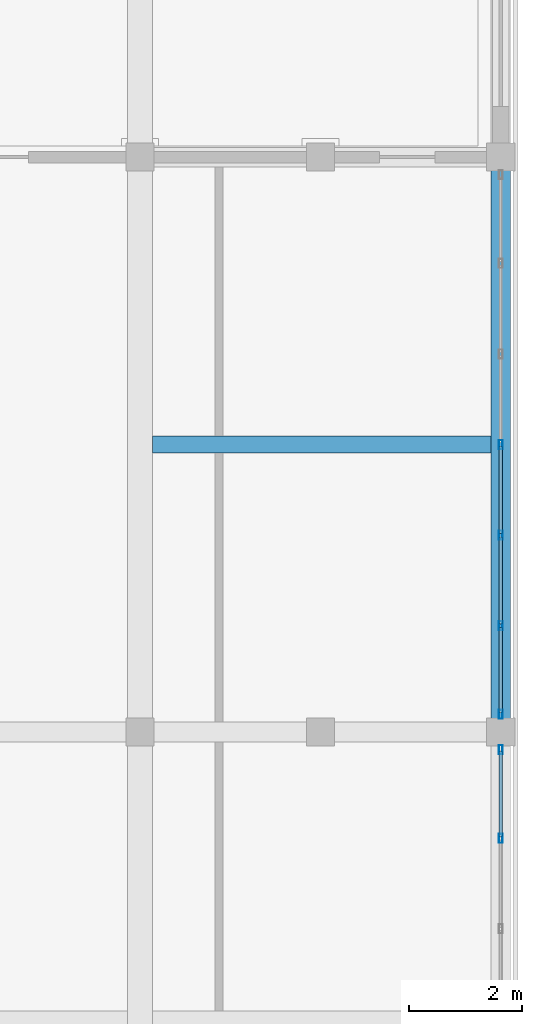
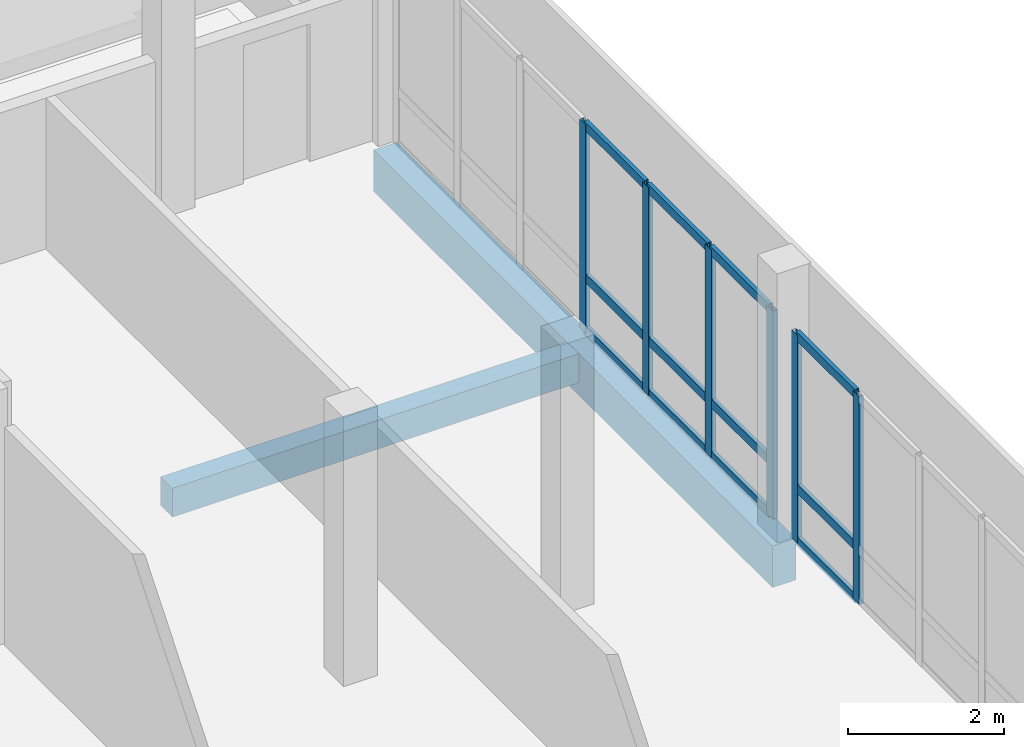
# One storey, part 10 of 29: 18 members, 2 beams, 2 elements without a shape of their own.
"""IFC4 building model written with IfcOpenShell, lengths in metres."""

from ifc_helpers import new_model, si_unit, direction, frame, origin, origin_2d, place, context, subcontext, project, spatial, rectangle, hollow_rectangle, extrude, material, material_profile, profile_set, type_object, element, aggregate, save


model = new_model("IFC4")

# Units and contexts
model_context = context("Model", 3, precision=1e-05, world=origin(), true_north=direction((0.0, 1.0)))
body_context = subcontext(model_context, "Body", "Model", "MODEL_VIEW")
ifc_project = project(units=[si_unit("LENGTHUNIT", "METRE"), si_unit("AREAUNIT", "SQUARE_METRE"), si_unit("VOLUMEUNIT", "CUBIC_METRE"), si_unit("PLANEANGLEUNIT", "RADIAN"), si_unit("MASSUNIT", "GRAM", prefix="KILO")], contexts=[model_context])

# Site, building, storey
site_placement = place(None, origin())
site = spatial("IfcSite", under=ifc_project, at=site_placement, CompositionType="ELEMENT")
building_placement = place(site_placement, origin())
building = spatial("IfcBuilding", under=site, at=building_placement, Name="Vondelvale Polytechnic", CompositionType="ELEMENT")
storey_placement = place(building_placement, frame((0.0, 0.0, 26.39990234375)))
storey = spatial("IfcBuildingStorey", under=building, at=storey_placement, Name="L06", CompositionType="ELEMENT", Elevation=26.39990234375)

# Curtain wall, members
ifc_material_1 = material(Name="Anodised extruded aluminium 6063-T6", Category="aluminium")
curtain_wall_type = type_object("IfcCurtainWallType", Name="CW-STUDIO-NORTH", PredefinedType="NOTDEFINED", material=ifc_material_1)
curtain_wall_1_placement = place(storey_placement, origin())
curtain_wall_1 = element("IfcCurtainWall", 1, at=curtain_wall_1_placement, inside=storey, type_object=curtain_wall_type, Name="L06 architectural curtain wall CW-01-048", PredefinedType="NOTDEFINED")
ifc_material_profile_1 = material_profile(ifc_material_1, hollow_rectangle(XDim=0.06494140625, YDim=0.159912109375, WallThickness=0.0048828125, at=origin_2d()), Name="CW-MUL-160x65")
ifc_profile_set_1 = profile_set([ifc_material_profile_1], Name="Anodised extruded aluminium 6063-T6")
member_type_1 = type_object("IfcMemberType", Name="CW-MUL-65x160", PredefinedType="MULLION", material=ifc_profile_set_1)
member_1_placement = place(storey_placement, frame((44.800048828125, 8.313232421875, 0.0), z_axis=(0.0, 0.0, 1.0), x_axis=(-1.0, 0.0, 0.0)))
member_1 = element("IfcMember", 2, at=member_1_placement, type_object=member_type_1, Name="CW-01-048 mullion 6", PredefinedType="MULLION", context=body_context, shape_type="SweptSolid", body=[
    extrude(hollow_rectangle(XDim=0.06494140625, YDim=0.159912109375, WallThickness=0.0048828125, at=origin_2d()), origin(), (0.0, 0.0, 1.0), 3.25),
])
member_2_placement = place(storey_placement, frame((44.800048828125, 9.887451171875, 0.0), z_axis=(0.0, 0.0, 1.0), x_axis=(-1.0, 0.0, 0.0)))
member_2 = element("IfcMember", 3, at=member_2_placement, type_object=member_type_1, Name="CW-01-048 mullion 7", PredefinedType="MULLION", context=body_context, shape_type="SweptSolid", body=[
    extrude(hollow_rectangle(XDim=0.06494140625, YDim=0.159912109375, WallThickness=0.0048828125, at=origin_2d()), origin(), (0.0, 0.0, 1.0), 3.25),
])

curtain_wall_2_placement = place(storey_placement, origin())
curtain_wall_2 = element("IfcCurtainWall", 4, at=curtain_wall_2_placement, inside=storey, type_object=curtain_wall_type, Name="L06 architectural curtain wall CW-01-049", PredefinedType="NOTDEFINED")
member_3_placement = place(storey_placement, frame((44.800048828125, 10.512451171875, 0.0), z_axis=(0.0, 0.0, 1.0), x_axis=(-1.0, 0.0, 0.0)))
member_3 = element("IfcMember", 5, at=member_3_placement, type_object=member_type_1, Name="CW-01-049 mullion 1", PredefinedType="MULLION", context=body_context, shape_type="SweptSolid", body=[
    extrude(hollow_rectangle(XDim=0.06494140625, YDim=0.159912109375, WallThickness=0.0048828125, at=origin_2d()), origin(), (0.0, 0.0, 1.0), 3.25),
])
member_4_placement = place(storey_placement, frame((44.800048828125, 12.086669921875, 0.0), z_axis=(0.0, 0.0, 1.0), x_axis=(-1.0, 0.0, 0.0)))
member_4 = element("IfcMember", 6, at=member_4_placement, type_object=member_type_1, Name="CW-01-049 mullion 2", PredefinedType="MULLION", context=body_context, shape_type="SweptSolid", body=[
    extrude(hollow_rectangle(XDim=0.06494140625, YDim=0.159912109375, WallThickness=0.0048828125, at=origin_2d()), origin(), (0.0, 0.0, 1.0), 3.25),
])
member_5_placement = place(storey_placement, frame((44.800048828125, 13.693359375, 0.0), z_axis=(0.0, 0.0, 1.0), x_axis=(-1.0, 0.0, 0.0)))
member_5 = element("IfcMember", 7, at=member_5_placement, type_object=member_type_1, Name="CW-01-049 mullion 3", PredefinedType="MULLION", context=body_context, shape_type="SweptSolid", body=[
    extrude(hollow_rectangle(XDim=0.06494140625, YDim=0.159912109375, WallThickness=0.0048828125, at=origin_2d()), origin(), (0.0, 0.0, 1.0), 3.25),
])
member_6_placement = place(storey_placement, frame((44.800048828125, 15.300048828125, 0.0), z_axis=(0.0, 0.0, 1.0), x_axis=(-1.0, 0.0, 0.0)))
member_6 = element("IfcMember", 8, at=member_6_placement, type_object=member_type_1, Name="CW-01-049 mullion 4", PredefinedType="MULLION", context=body_context, shape_type="SweptSolid", body=[
    extrude(hollow_rectangle(XDim=0.06494140625, YDim=0.159912109375, WallThickness=0.0048828125, at=origin_2d()), origin(), (0.0, 0.0, 1.0), 3.25),
])

# Member
ifc_material_profile_2 = material_profile(ifc_material_1, hollow_rectangle(XDim=0.06005859375, YDim=0.139892578125, WallThickness=0.00341796875, at=origin_2d()), Name="CW-TRN-140x60")
ifc_profile_set_2 = profile_set([ifc_material_profile_2], Name="Anodised extruded aluminium 6063-T6")
member_type_2 = type_object("IfcMemberType", Name="CW-TRN-60x140", PredefinedType="USERDEFINED", material=ifc_profile_set_2)
member_7_placement = place(storey_placement, frame((44.800048828125, 8.345947265625, 0.030029296875), z_axis=(0.0, 1.0, 0.0), x_axis=(-1.0, 0.0, 0.0)))
member_7 = element("IfcMember", 9, at=member_7_placement, type_object=member_type_2, Name="CW-01-048 transom 6.1", ObjectType="TRANSOM", PredefinedType="USERDEFINED", context=body_context, shape_type="SweptSolid", body=[
    extrude(hollow_rectangle(XDim=0.06005859375, YDim=0.139892578125, WallThickness=0.00341796875, at=origin_2d()), origin(), (0.0, 0.0, 1.0), 1.509033203125),
])

member_8_placement = place(storey_placement, frame((44.800048828125, 8.345947265625, 0.85009765625), z_axis=(0.0, 1.0, 0.0), x_axis=(-1.0, 0.0, 0.0)))
member_8 = element("IfcMember", 10, at=member_8_placement, type_object=member_type_2, Name="CW-01-048 transom 6.2", ObjectType="TRANSOM", PredefinedType="USERDEFINED", context=body_context, shape_type="SweptSolid", body=[
    extrude(hollow_rectangle(XDim=0.06005859375, YDim=0.139892578125, WallThickness=0.00341796875, at=origin_2d()), origin(), (0.0, 0.0, 1.0), 1.509033203125),
])

member_9_placement = place(storey_placement, frame((44.800048828125, 8.345947265625, 3.22021484375), z_axis=(0.0, 1.0, 0.0), x_axis=(-1.0, 0.0, 0.0)))
member_9 = element("IfcMember", 11, at=member_9_placement, type_object=member_type_2, Name="CW-01-048 transom 6.3", ObjectType="TRANSOM", PredefinedType="USERDEFINED", context=body_context, shape_type="SweptSolid", body=[
    extrude(hollow_rectangle(XDim=0.06005859375, YDim=0.139892578125, WallThickness=0.00341796875, at=origin_2d()), origin(), (0.0, 0.0, 1.0), 1.509033203125),
])

aggregate(curtain_wall_1, [member_1, member_2, member_7, member_8, member_9])

member_10_placement = place(storey_placement, frame((44.800048828125, 10.544921875, 0.030029296875), z_axis=(0.0, 1.0, 0.0), x_axis=(-1.0, 0.0, 0.0)))
member_10 = element("IfcMember", 12, at=member_10_placement, type_object=member_type_2, Name="CW-01-049 transom 1.1", ObjectType="TRANSOM", PredefinedType="USERDEFINED", context=body_context, shape_type="SweptSolid", body=[
    extrude(hollow_rectangle(XDim=0.06005859375, YDim=0.139892578125, WallThickness=0.00341796875, at=origin_2d()), origin(), (0.0, 0.0, 1.0), 1.50927734375),
])

member_11_placement = place(storey_placement, frame((44.800048828125, 10.544921875, 0.85009765625), z_axis=(0.0, 1.0, 0.0), x_axis=(-1.0, 0.0, 0.0)))
member_11 = element("IfcMember", 13, at=member_11_placement, type_object=member_type_2, Name="CW-01-049 transom 1.2", ObjectType="TRANSOM", PredefinedType="USERDEFINED", context=body_context, shape_type="SweptSolid", body=[
    extrude(hollow_rectangle(XDim=0.06005859375, YDim=0.139892578125, WallThickness=0.00341796875, at=origin_2d()), origin(), (0.0, 0.0, 1.0), 1.50927734375),
])

member_12_placement = place(storey_placement, frame((44.800048828125, 10.544921875, 3.22021484375), z_axis=(0.0, 1.0, 0.0), x_axis=(-1.0, 0.0, 0.0)))
member_12 = element("IfcMember", 14, at=member_12_placement, type_object=member_type_2, Name="CW-01-049 transom 1.3", ObjectType="TRANSOM", PredefinedType="USERDEFINED", context=body_context, shape_type="SweptSolid", body=[
    extrude(hollow_rectangle(XDim=0.06005859375, YDim=0.139892578125, WallThickness=0.00341796875, at=origin_2d()), origin(), (0.0, 0.0, 1.0), 1.50927734375),
])

member_13_placement = place(storey_placement, frame((44.800048828125, 12.119140625, 0.030029296875), z_axis=(0.0, 1.0, 0.0), x_axis=(-1.0, 0.0, 0.0)))
member_13 = element("IfcMember", 15, at=member_13_placement, type_object=member_type_2, Name="CW-01-049 transom 2.1", ObjectType="TRANSOM", PredefinedType="USERDEFINED", context=body_context, shape_type="SweptSolid", body=[
    extrude(hollow_rectangle(XDim=0.06005859375, YDim=0.139892578125, WallThickness=0.00341796875, at=origin_2d()), origin(), (0.0, 0.0, 1.0), 1.541748046875),
])

member_14_placement = place(storey_placement, frame((44.800048828125, 12.119140625, 0.85009765625), z_axis=(0.0, 1.0, 0.0), x_axis=(-1.0, 0.0, 0.0)))
member_14 = element("IfcMember", 16, at=member_14_placement, type_object=member_type_2, Name="CW-01-049 transom 2.2", ObjectType="TRANSOM", PredefinedType="USERDEFINED", context=body_context, shape_type="SweptSolid", body=[
    extrude(hollow_rectangle(XDim=0.06005859375, YDim=0.139892578125, WallThickness=0.00341796875, at=origin_2d()), origin(), (0.0, 0.0, 1.0), 1.541748046875),
])

member_15_placement = place(storey_placement, frame((44.800048828125, 12.119140625, 3.22021484375), z_axis=(0.0, 1.0, 0.0), x_axis=(-1.0, 0.0, 0.0)))
member_15 = element("IfcMember", 17, at=member_15_placement, type_object=member_type_2, Name="CW-01-049 transom 2.3", ObjectType="TRANSOM", PredefinedType="USERDEFINED", context=body_context, shape_type="SweptSolid", body=[
    extrude(hollow_rectangle(XDim=0.06005859375, YDim=0.139892578125, WallThickness=0.00341796875, at=origin_2d()), origin(), (0.0, 0.0, 1.0), 1.541748046875),
])

member_16_placement = place(storey_placement, frame((44.800048828125, 13.725830078125, 0.030029296875), z_axis=(0.0, 1.0, 0.0), x_axis=(-1.0, 0.0, 0.0)))
member_16 = element("IfcMember", 18, at=member_16_placement, type_object=member_type_2, Name="CW-01-049 transom 3.1", ObjectType="TRANSOM", PredefinedType="USERDEFINED", context=body_context, shape_type="SweptSolid", body=[
    extrude(hollow_rectangle(XDim=0.06005859375, YDim=0.139892578125, WallThickness=0.00341796875, at=origin_2d()), origin(), (0.0, 0.0, 1.0), 1.541748046875),
])

member_17_placement = place(storey_placement, frame((44.800048828125, 13.725830078125, 0.85009765625), z_axis=(0.0, 1.0, 0.0), x_axis=(-1.0, 0.0, 0.0)))
member_17 = element("IfcMember", 19, at=member_17_placement, type_object=member_type_2, Name="CW-01-049 transom 3.2", ObjectType="TRANSOM", PredefinedType="USERDEFINED", context=body_context, shape_type="SweptSolid", body=[
    extrude(hollow_rectangle(XDim=0.06005859375, YDim=0.139892578125, WallThickness=0.00341796875, at=origin_2d()), origin(), (0.0, 0.0, 1.0), 1.541748046875),
])

member_18_placement = place(storey_placement, frame((44.800048828125, 13.725830078125, 3.22021484375), z_axis=(0.0, 1.0, 0.0), x_axis=(-1.0, 0.0, 0.0)))
member_18 = element("IfcMember", 20, at=member_18_placement, type_object=member_type_2, Name="CW-01-049 transom 3.3", ObjectType="TRANSOM", PredefinedType="USERDEFINED", context=body_context, shape_type="SweptSolid", body=[
    extrude(hollow_rectangle(XDim=0.06005859375, YDim=0.139892578125, WallThickness=0.00341796875, at=origin_2d()), origin(), (0.0, 0.0, 1.0), 1.541748046875),
])

aggregate(curtain_wall_2, [member_3, member_4, member_5, member_6, member_10, member_11, member_12, member_13, member_14, member_15, member_16, member_17, member_18])

# Beams
ifc_material_2 = material(Name="Concrete N40 (f'c = 40 MPa)", Category="concrete")
ifc_material_profile_3 = material_profile(ifc_material_2, rectangle(XDim=0.300048828125, YDim=0.449951171875, at=origin_2d()), Name="RC-JST-300x450")
ifc_profile_set_3 = profile_set([ifc_material_profile_3], Name="Concrete N40 (f'c = 40 MPa)")
beam_type_1 = type_object("IfcBeamType", Name="JST-RC300x450", PredefinedType="JOIST", material=ifc_profile_set_3)
beam_1_placement = place(storey_placement, frame((38.625, 15.300048828125, -0.449951171875), z_axis=(1.0, 0.0, 0.0), x_axis=(0.0, 1.0, 0.0)))
element("IfcBeam", 21, at=beam_1_placement, inside=storey, type_object=beam_type_1, Name="L06 J J-03", PredefinedType="JOIST", context=body_context, shape_type="SweptSolid", body=[
    extrude(rectangle(XDim=0.300048828125, YDim=0.449951171875, at=origin_2d()), origin(), (0.0, 0.0, 1.0), 6.0),
])
ifc_material_3 = material(Name="Precast concrete N40 (f'c = 40 MPa)", Category="concrete")
ifc_material_profile_4 = material_profile(ifc_material_3, rectangle(XDim=0.35009765625, YDim=0.64990234375, at=origin_2d()), Name="RC-SPN-350x650")
ifc_profile_set_4 = profile_set([ifc_material_profile_4], Name="Precast concrete N40 (f'c = 40 MPa)")
beam_type_2 = type_object("IfcBeamType", Name="SPN-PRE350x650", PredefinedType="SPANDREL", material=ifc_profile_set_4)
beam_2_placement = place(storey_placement, frame((44.800048828125, 10.199951171875, -0.5498046875), z_axis=(0.0, 1.0, 0.0), x_axis=(-1.0, 0.0, 0.0)))
element("IfcBeam", 22, at=beam_2_placement, inside=storey, type_object=beam_type_2, Name="L06 B SP-02", PredefinedType="SPANDREL", context=body_context, shape_type="SweptSolid", body=[
    extrude(rectangle(XDim=0.35009765625, YDim=0.64990234375, at=origin_2d()), origin(), (0.0, 0.0, 1.0), 10.199951171875),
])

save(model, "model.ifc")
